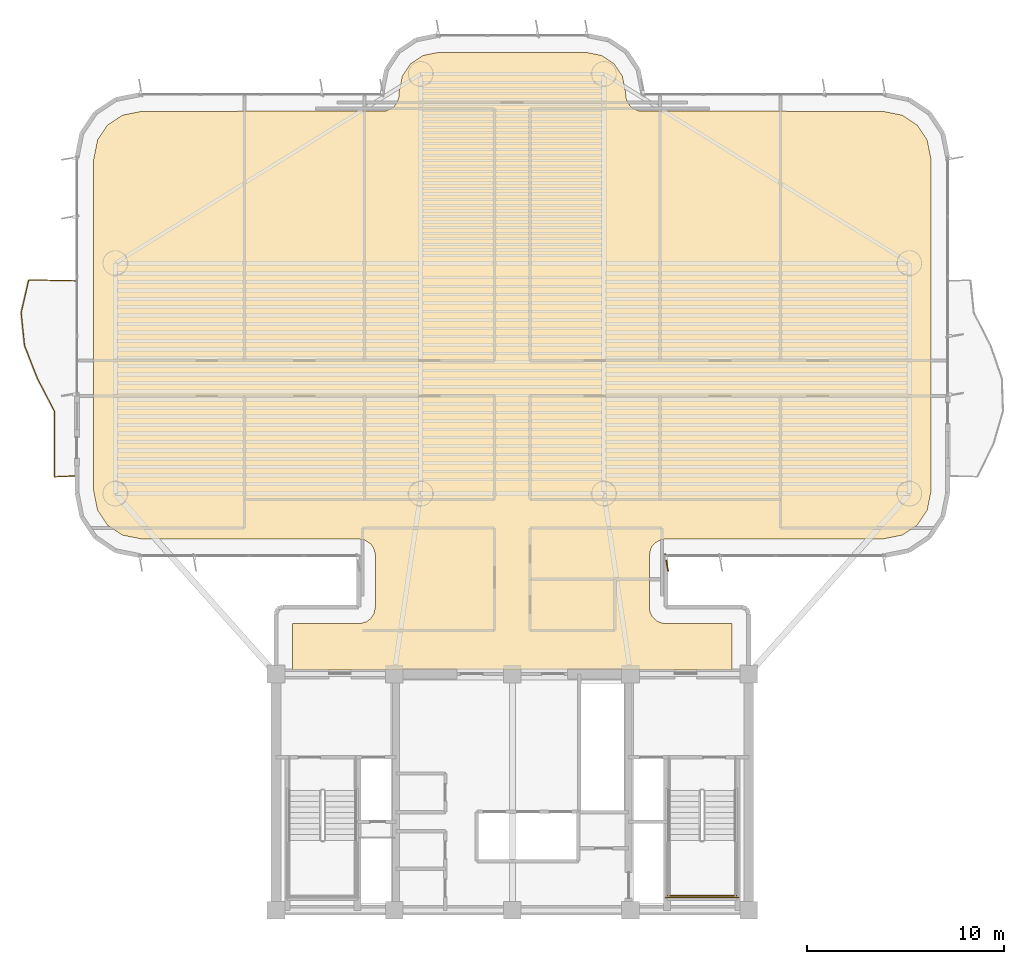
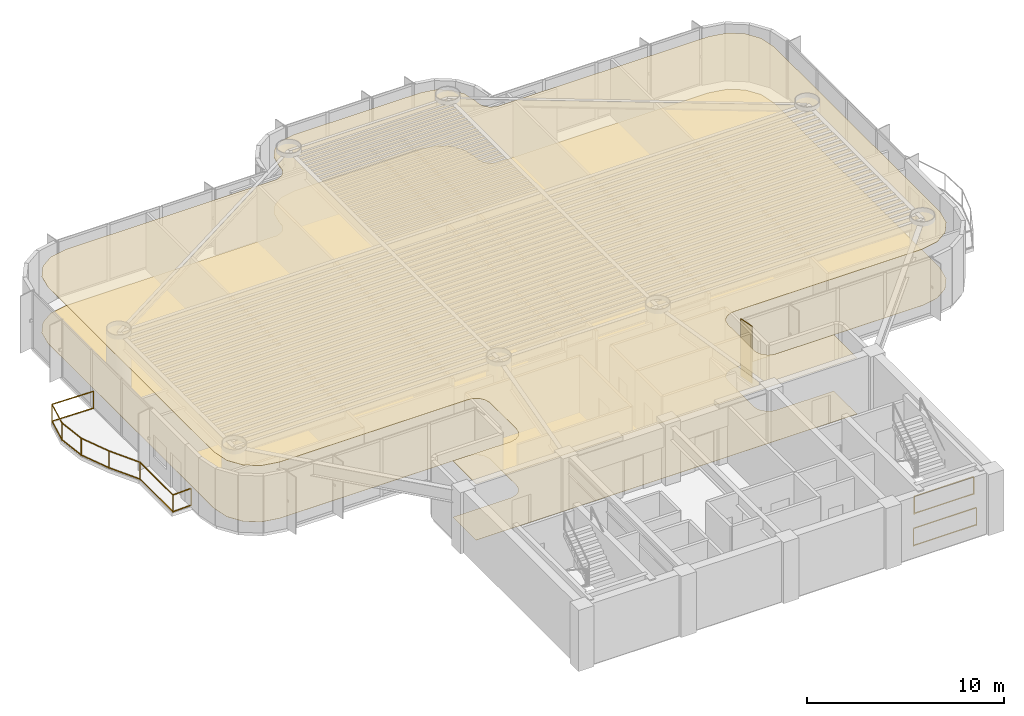
# One storey, part 14 of 16: 3 railings, 2 coverings, 1 shading device.
"""IFC4 building model written with IfcOpenShell, lengths in metres."""

from ifc_helpers import new_model, si_unit, direction, frame, origin, origin_2d, place, context, subcontext, project, spatial, polyline, rectangle, outline, extrude, source, transform, mapped, material, layer, layer_set, material_profile, profile_set, type_object, element, save


model = new_model("IFC4")

# Units and contexts
model_context = context("Model", 3, precision=1e-05, world=origin(), true_north=direction((0.0, 1.0)))
body_context = subcontext(model_context, "Body", "Model", "MODEL_VIEW")
ifc_project = project(units=[si_unit("LENGTHUNIT", "METRE"), si_unit("AREAUNIT", "SQUARE_METRE"), si_unit("VOLUMEUNIT", "CUBIC_METRE"), si_unit("PLANEANGLEUNIT", "RADIAN"), si_unit("MASSUNIT", "GRAM", prefix="KILO")], contexts=[model_context])

# Site, building, storey
site_placement = place(None, origin())
site = spatial("IfcSite", under=ifc_project, at=site_placement, CompositionType="ELEMENT")
building_placement = place(site_placement, origin())
building = spatial("IfcBuilding", under=site, at=building_placement, Name="Brelvock Crest Care Tower", CompositionType="ELEMENT")
storey_placement = place(building_placement, frame((0.0, 0.0, 116.280029296875)))
storey = spatial("IfcBuildingStorey", under=building, at=storey_placement, Name="L29", CompositionType="ELEMENT", Elevation=116.280029296875)

# Coverings
ifc_material_1 = material(Name="Mineral Fibre Acoustic Ceiling Tile", Category="gypsum")
ifc_layer_1 = layer(ifc_material_1, 0.02490234375, Name="COV-CLG1")
ifc_layer_set_1 = layer_set([ifc_layer_1], Name="Mineral Fibre Acoustic Ceiling Tile")
covering_type_1 = type_object("IfcCoveringType", Name="COV-CLG1", PredefinedType="CEILING", material=ifc_layer_set_1)
covering_1_placement = place(storey_placement, frame((0.0, 0.0, 3.474853515625)))
element("IfcCovering", 1, at=covering_1_placement, inside=storey, type_object=covering_type_1, Name="L29 Acoustic Suspended Ceiling 1", PredefinedType="CEILING", context=body_context, shape_type="SweptSolid", body=[
    extrude(outline(polyline([(24.85009765625, 18.199951171875), (47.14990234375, 18.199951171875), (47.14990234375, 20.550048828125), (43.716796875, 20.55419921875), (43.55322265625, 20.586669921875), (43.327880859375, 20.693359375), (43.09326171875, 20.927734375), (42.986572265625, 21.1533203125), (42.949951171875, 21.39990234375), (42.949951171875, 24.0), (43.0146484375, 24.3251953125), (43.09326171875, 24.47216796875), (43.2607421875, 24.656982421875), (43.55322265625, 24.8134765625), (43.800048828125, 24.85009765625), (54.81640625, 24.85009765625), (55.79296875, 25.044189453125), (56.5498046875, 25.550048828125), (57.0556640625, 26.30712890625), (57.25, 27.28369140625), (57.25, 44.1162109375), (57.0556640625, 45.093017578125), (56.5498046875, 45.849853515625), (55.79296875, 46.355712890625), (54.81640625, 46.550048828125), (42.43408203125, 46.56640625), (42.127685546875, 46.693359375), (41.9990234375, 46.799072265625), (41.850341796875, 46.999267578125), (41.766357421875, 47.234130859375), (41.75, 47.516357421875), (41.586181640625, 48.33984375), (41.1669921875, 48.967041015625), (40.539794921875, 49.38623046875), (39.71630859375, 49.550048828125), (32.28369140625, 49.550048828125), (31.460205078125, 49.38623046875), (30.8330078125, 48.967041015625), (30.413818359375, 48.33984375), (30.25, 47.516357421875), (30.233642578125, 47.234130859375), (30.149658203125, 46.999267578125), (30.0009765625, 46.799072265625), (29.872314453125, 46.693359375), (29.56591796875, 46.56640625), (17.18359375, 46.550048828125), (16.20703125, 46.355712890625), (15.4501953125, 45.849853515625), (14.9443359375, 45.093017578125), (14.75, 44.1162109375), (14.75, 27.28369140625), (14.9443359375, 26.30712890625), (15.4501953125, 25.550048828125), (16.20703125, 25.044189453125), (17.18359375, 24.85009765625), (28.199951171875, 24.85009765625), (28.525390625, 24.785400390625), (28.801025390625, 24.60107421875), (28.94970703125, 24.400634765625), (29.0458984375, 24.083251953125), (29.050048828125, 21.39990234375), (28.9853515625, 21.07470703125), (28.801025390625, 20.799072265625), (28.6005859375, 20.650390625), (28.283203125, 20.55419921875), (24.85009765625, 20.550048828125), (24.85009765625, 18.199951171875)])), origin(), (0.0, 0.0, 1.0), 0.025146484375),
])
ifc_material_2 = material(Name="Slip-Resistant Acoustic Vinyl Flooring", Category="finish")
ifc_layer_2 = layer(ifc_material_2, 0.014892578125, Name="COV-FLR1")
ifc_layer_set_2 = layer_set([ifc_layer_2], Name="Slip-Resistant Acoustic Vinyl Flooring")
covering_type_2 = type_object("IfcCoveringType", Name="COV-FLR1", PredefinedType="FLOORING", material=ifc_layer_set_2)
covering_2_placement = place(storey_placement, origin())
element("IfcCovering", 2, at=covering_2_placement, inside=storey, type_object=covering_type_2, Name="L29 Slip-Resistant Acoustic Flooring 1", PredefinedType="FLOORING", context=body_context, shape_type="SweptSolid", body=[
    extrude(outline(polyline([(24.85009765625, 18.199951171875), (47.14990234375, 18.199951171875), (47.14990234375, 20.550048828125), (43.716796875, 20.55419921875), (43.55322265625, 20.586669921875), (43.327880859375, 20.693359375), (43.09326171875, 20.927734375), (42.986572265625, 21.1533203125), (42.949951171875, 21.39990234375), (42.949951171875, 24.0), (43.0146484375, 24.3251953125), (43.09326171875, 24.47216796875), (43.2607421875, 24.656982421875), (43.55322265625, 24.8134765625), (43.800048828125, 24.85009765625), (54.81640625, 24.85009765625), (55.79296875, 25.044189453125), (56.5498046875, 25.550048828125), (57.0556640625, 26.30712890625), (57.25, 27.28369140625), (57.25, 44.1162109375), (57.0556640625, 45.093017578125), (56.5498046875, 45.849853515625), (55.79296875, 46.355712890625), (54.81640625, 46.550048828125), (42.43408203125, 46.56640625), (42.127685546875, 46.693359375), (41.9990234375, 46.799072265625), (41.850341796875, 46.999267578125), (41.766357421875, 47.234130859375), (41.75, 47.516357421875), (41.586181640625, 48.33984375), (41.1669921875, 48.967041015625), (40.539794921875, 49.38623046875), (39.71630859375, 49.550048828125), (32.28369140625, 49.550048828125), (31.460205078125, 49.38623046875), (30.8330078125, 48.967041015625), (30.413818359375, 48.33984375), (30.25, 47.516357421875), (30.233642578125, 47.234130859375), (30.149658203125, 46.999267578125), (30.0009765625, 46.799072265625), (29.872314453125, 46.693359375), (29.56591796875, 46.56640625), (17.18359375, 46.550048828125), (16.20703125, 46.355712890625), (15.4501953125, 45.849853515625), (14.9443359375, 45.093017578125), (14.75, 44.1162109375), (14.75, 27.28369140625), (14.9443359375, 26.30712890625), (15.4501953125, 25.550048828125), (16.20703125, 25.044189453125), (17.18359375, 24.85009765625), (28.199951171875, 24.85009765625), (28.525390625, 24.785400390625), (28.801025390625, 24.60107421875), (28.94970703125, 24.400634765625), (29.0458984375, 24.083251953125), (29.050048828125, 21.39990234375), (28.9853515625, 21.07470703125), (28.801025390625, 20.799072265625), (28.6005859375, 20.650390625), (28.283203125, 20.55419921875), (24.85009765625, 20.550048828125), (24.85009765625, 18.199951171875)])), origin(), (0.0, 0.0, 1.0), 0.014892578125),
])

# Railings
ifc_material_3 = material(Name="Dark Glass Double Glazed Low-E", Category="glass")
ifc_layer_3 = layer(ifc_material_3, 0.06005859375, Name="RL-BAL1")
ifc_layer_set_3 = layer_set([ifc_layer_3], Name="Dark Glass Double Glazed Low-E")
railing_type_1 = type_object("IfcRailingType", Name="RL-BAL1", PredefinedType="BALUSTRADE", material=ifc_layer_set_3)
railing_1_placement = place(storey_placement, frame((13.860107421875, 28.050048828125, 0.00390625)))
element("IfcRailing", 3, at=railing_1_placement, inside=storey, type_object=railing_type_1, Name="L29 Safety Balustrade WB-W", PredefinedType="BALUSTRADE", context=body_context, shape_type="SweptSolid", body=[
    extrude(rectangle(XDim=0.048095703125, YDim=0.048095703125, at=origin_2d()), frame((-0.001953125, 0.0, 1.09619140625), z_axis=(-0.998966710972, -0.045447886318, 0.0), x_axis=(0.045447886318, -0.998966710972, 0.0)), (0.0, 0.0, 1.0), 1.09716796875),
    extrude(rectangle(XDim=0.048095703125, YDim=0.048095703125, at=origin_2d()), frame((-0.001953125, 0.0, 0.054931640625), z_axis=(-0.998966710972, -0.045447886318, 0.0), x_axis=(0.045447886318, -0.998966710972, 0.0)), (0.0, 0.0, 1.0), 1.09716796875),
    extrude(rectangle(XDim=0.048095703125, YDim=0.048095703125, at=origin_2d()), frame((-1.10009765625, -0.048095703125, 1.09619140625), z_axis=(-0.00014648795, 0.999999989271, 0.0), x_axis=(-0.999999989271, -0.00014648795, 0.0)), (0.0, 0.0, 1.0), 3.329345703125),
    extrude(rectangle(XDim=0.048095703125, YDim=0.048095703125, at=origin_2d()), frame((-1.10009765625, -0.048095703125, 0.054931640625), z_axis=(-0.00014648795, 0.999999989271, 0.0), x_axis=(-0.999999989271, -0.00014648795, 0.0)), (0.0, 0.0, 1.0), 3.329345703125),
    extrude(rectangle(XDim=0.048095703125, YDim=0.048095703125, at=origin_2d()), frame((-1.1015625, 3.284912109375, 1.09619140625), z_axis=(-0.46114401417, 0.887325305733, 0.0), x_axis=(-0.887325305733, -0.46114401417, 0.0)), (0.0, 0.0, 1.0), 1.87451171875),
    extrude(rectangle(XDim=0.048095703125, YDim=0.048095703125, at=origin_2d()), frame((-1.1015625, 3.284912109375, 0.054931640625), z_axis=(-0.46114401417, 0.887325305733, 0.0), x_axis=(-0.887325305733, -0.46114401417, 0.0)), (0.0, 0.0, 1.0), 1.87451171875),
    extrude(rectangle(XDim=0.048095703125, YDim=0.048095703125, at=origin_2d()), frame((-1.967529296875, 4.951904296875, 1.09619140625), z_axis=(-0.364466206994, 0.93121661495, 0.0), x_axis=(-0.93121661495, -0.364466206994, 0.0)), (0.0, 0.0, 1.0), 1.785888671875),
    extrude(rectangle(XDim=0.048095703125, YDim=0.048095703125, at=origin_2d()), frame((-1.967529296875, 4.951904296875, 0.054931640625), z_axis=(-0.364466206994, 0.93121661495, 0.0), x_axis=(-0.93121661495, -0.364466206994, 0.0)), (0.0, 0.0, 1.0), 1.785888671875),
    extrude(rectangle(XDim=0.048095703125, YDim=0.048095703125, at=origin_2d()), frame((-2.619384765625, 6.61865234375, 1.09619140625), z_axis=(-0.101148651987, 0.994871323439, 0.0), x_axis=(-0.994871323439, -0.101148651987, 0.0)), (0.0, 0.0, 1.0), 1.671142578125),
    extrude(rectangle(XDim=0.048095703125, YDim=0.048095703125, at=origin_2d()), frame((-2.619384765625, 6.61865234375, 0.054931640625), z_axis=(-0.101148651987, 0.994871323439, 0.0), x_axis=(-0.994871323439, -0.101148651987, 0.0)), (0.0, 0.0, 1.0), 1.671142578125),
    extrude(rectangle(XDim=0.048095703125, YDim=0.048095703125, at=origin_2d()), frame((-2.7880859375, 8.28515625, 1.09619140625), z_axis=(0.22439035679, 0.974499342114, 0.0), x_axis=(-0.974499342114, 0.22439035679, 0.0)), (0.0, 0.0, 1.0), 1.706298828125),
    extrude(rectangle(XDim=0.048095703125, YDim=0.048095703125, at=origin_2d()), frame((-2.7880859375, 8.28515625, 0.054931640625), z_axis=(0.22439035679, 0.974499342114, 0.0), x_axis=(-0.974499342114, 0.22439035679, 0.0)), (0.0, 0.0, 1.0), 1.706298828125),
    extrude(rectangle(XDim=0.048095703125, YDim=0.048095703125, at=origin_2d()), frame((-2.40283203125, 9.949951171875, 1.09619140625), z_axis=(0.999783496855, -0.020807676838, 0.0), x_axis=(0.020807676838, 0.999783496855, 0.0)), (0.0, 0.0, 1.0), 2.4013671875),
    extrude(rectangle(XDim=0.048095703125, YDim=0.048095703125, at=origin_2d()), frame((-2.40283203125, 9.949951171875, 0.054931640625), z_axis=(0.999783496855, -0.020807676838, 0.0), x_axis=(0.020807676838, 0.999783496855, 0.0)), (0.0, 0.0, 1.0), 2.4013671875),
    extrude(rectangle(XDim=0.0419921875, YDim=0.0419921875, at=origin_2d()), origin(), (0.0, 0.0, 1.0), 1.070068359375),
    extrude(rectangle(XDim=0.0419921875, YDim=0.0419921875, at=origin_2d()), frame((-1.10009765625, -0.050048828125, 0.0)), (0.0, 0.0, 1.0), 1.070068359375),
    extrude(rectangle(XDim=0.0419921875, YDim=0.0419921875, at=origin_2d()), frame((-1.1005859375, 3.283203125, 0.0)), (0.0, 0.0, 1.0), 1.070068359375),
    extrude(rectangle(XDim=0.0419921875, YDim=0.0419921875, at=origin_2d()), frame((-1.966796875, 4.949951171875, 0.0)), (0.0, 0.0, 1.0), 1.070068359375),
    extrude(rectangle(XDim=0.0419921875, YDim=0.0419921875, at=origin_2d()), frame((-2.619140625, 6.61669921875, 0.0)), (0.0, 0.0, 1.0), 1.070068359375),
    extrude(rectangle(XDim=0.0419921875, YDim=0.0419921875, at=origin_2d()), frame((-2.78857421875, 8.283203125, 0.0)), (0.0, 0.0, 1.0), 1.070068359375),
    extrude(rectangle(XDim=0.0419921875, YDim=0.0419921875, at=origin_2d()), frame((-2.40478515625, 9.949951171875, 0.0)), (0.0, 0.0, 1.0), 1.070068359375),
    extrude(rectangle(XDim=0.0419921875, YDim=0.0419921875, at=origin_2d()), frame((0.0, 9.89990234375, 0.0)), (0.0, 0.0, 1.0), 1.070068359375),
])
ifc_material_4 = material(Name="Steel Grade 350", Category="steel")
ifc_layer_4 = layer(ifc_material_4, 0.050048828125, Name="RL-STG1")
ifc_layer_set_4 = layer_set([ifc_layer_4], Name="Steel Grade 350")
railing_type_2 = type_object("IfcRailingType", Name="RL-STG1", PredefinedType="GUARDRAIL", material=ifc_layer_set_4)
railing_2_placement = place(storey_placement, frame((43.889892578125, 6.75, 1.889892578125)))
element("IfcRailing", 4, at=railing_2_placement, inside=storey, type_object=railing_type_2, Name="L29 ST-2 stair guard 5", PredefinedType="GUARDRAIL", context=body_context, shape_type="SweptSolid", body=[
    extrude(rectangle(XDim=0.048095703125, YDim=0.048095703125, at=origin_2d()), frame((0.001953125, 0.0, 1.11572265625), z_axis=(1.0, 0.0, 0.0), x_axis=(0.0, 1.0, 0.0)), (0.0, 0.0, 1.0), 3.476318359375),
    extrude(rectangle(XDim=0.048095703125, YDim=0.048095703125, at=origin_2d()), frame((0.001953125, 0.0, 0.054931640625), z_axis=(1.0, 0.0, 0.0), x_axis=(0.0, 1.0, 0.0)), (0.0, 0.0, 1.0), 3.476318359375),
    extrude(rectangle(XDim=0.0419921875, YDim=0.0419921875, at=origin_2d()), origin(), (0.0, 0.0, 1.0), 1.08984375),
    extrude(rectangle(XDim=0.0419921875, YDim=0.0419921875, at=origin_2d()), frame((3.480224609375, 0.0, 0.0)), (0.0, 0.0, 1.0), 1.08984375),
])
railing_3_placement = place(storey_placement, frame((43.7900390625, 6.64990234375, 0.0)))
element("IfcRailing", 5, at=railing_3_placement, inside=storey, type_object=railing_type_2, Name="L29 ST-2 stair guard 12", PredefinedType="GUARDRAIL", context=body_context, shape_type="SweptSolid", body=[
    extrude(rectangle(XDim=0.048095703125, YDim=0.048095703125, at=origin_2d()), frame((0.001953125, 0.0, 1.11572265625), z_axis=(1.0, 0.0, 0.0), x_axis=(0.0, 1.0, 0.0)), (0.0, 0.0, 1.0), 3.676025390625),
    extrude(rectangle(XDim=0.048095703125, YDim=0.048095703125, at=origin_2d()), frame((0.001953125, 0.0, 0.054931640625), z_axis=(1.0, 0.0, 0.0), x_axis=(0.0, 1.0, 0.0)), (0.0, 0.0, 1.0), 3.676025390625),
    extrude(rectangle(XDim=0.0419921875, YDim=0.0419921875, at=origin_2d()), origin(), (0.0, 0.0, 1.0), 1.08984375),
    extrude(rectangle(XDim=0.0419921875, YDim=0.0419921875, at=origin_2d()), frame((3.679931640625, 0.0, 0.0)), (0.0, 0.0, 1.0), 1.08984375),
])

# Shading device
ifc_material_5 = material(Name="Aluminium 6063-T6", Category="aluminium")
ifc_material_profile = material_profile(ifc_material_5, rectangle(XDim=0.054931640625, YDim=0.89990234375, at=origin_2d()), Name="FIN55x900")
ifc_profile_set = profile_set([ifc_material_profile], Name="Aluminium 6063-T6")
shading_device_type = type_object("IfcShadingDeviceType", Name="SHD-FIN1", PredefinedType="USERDEFINED", material=ifc_profile_set)
shared_shape = source(origin(), body_context, "Body", "SweptSolid", [
    extrude(rectangle(XDim=0.054931640625, YDim=0.89990234375, at=origin_2d()), origin(), (0.0, 0.0, 1.0), 3.530029296875),
])
shading_device_placement = place(storey_placement, frame((43.830078125, 23.659912109375, 0.0), z_axis=(0.0, 0.0, 1.0), x_axis=(-0.984807753012, -0.173648177667, 0.0)))
element("IfcShadingDevice", 6, at=shading_device_placement, inside=storey, type_object=shading_device_type, Name="L29 Vertical Sunshade Fin E44-05", ObjectType="FIN", PredefinedType="USERDEFINED", context=body_context, shape_type="MappedRepresentation", body=[
    mapped(shared_shape, transform((0.0, 0.0, 0.0), x_axis=(1.0, 0.0, 0.0), y_axis=(0.0, 1.0, 0.0), z_axis=(0.0, 0.0, 1.0), scale=1.0)),
])

save(model, "model.ifc")
